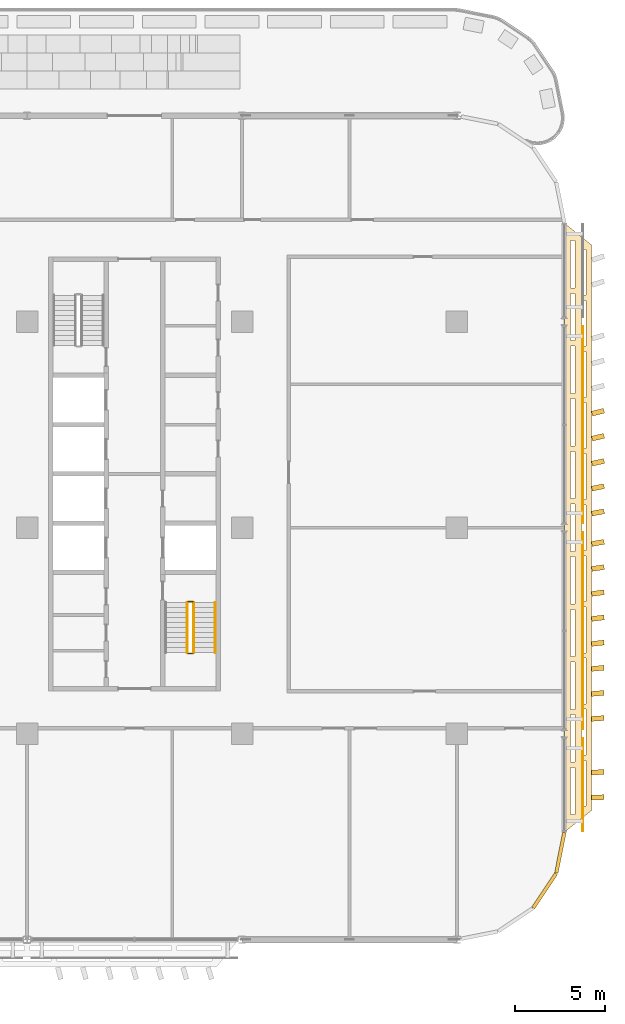
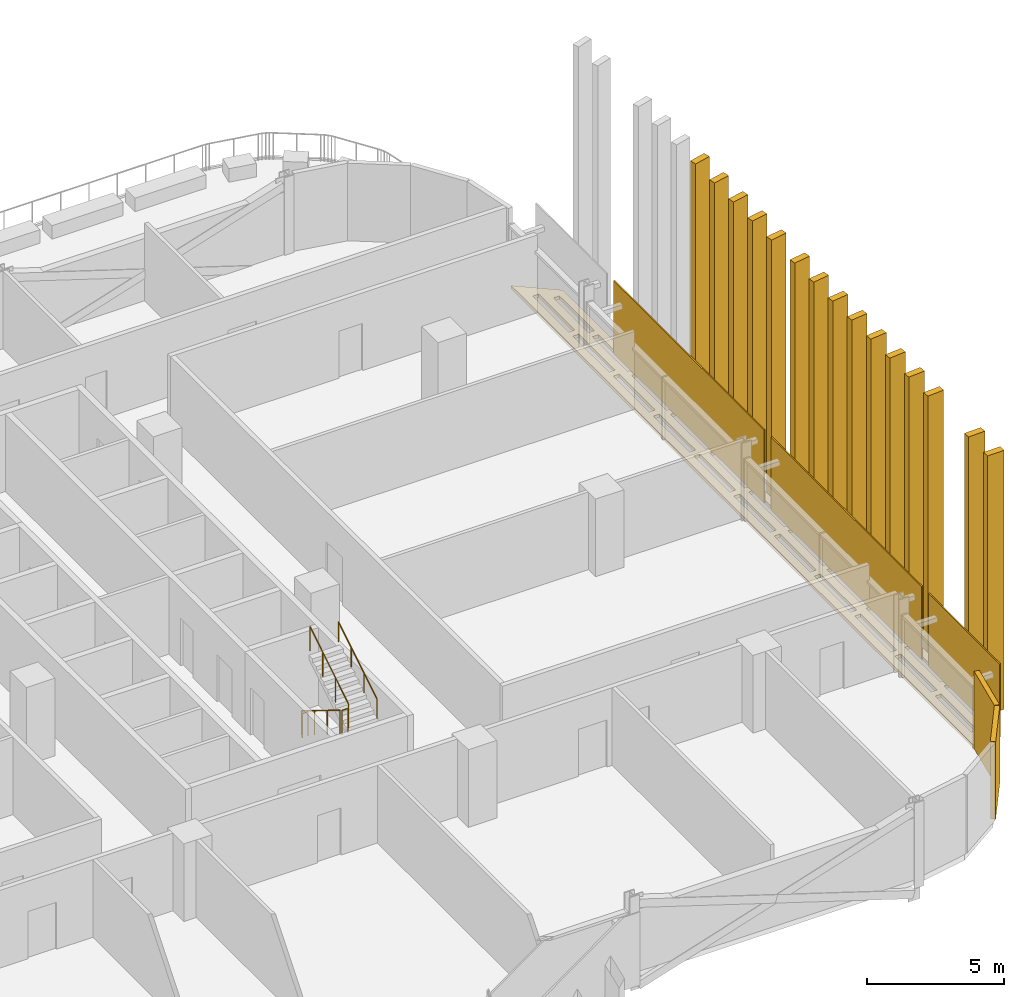
# One storey, part 28 of 30: 21 coverings, 5 railings.
"""IFC4 building model written with IfcOpenShell, lengths in metres."""

from ifc_helpers import new_model, si_unit, direction, frame, origin, origin_2d, place, context, subcontext, project, spatial, polyline, rectangle, circle, outline, extrude, material, layer, layer_set, type_object, element, save


model = new_model("IFC4")

# Units and contexts
model_context = context("Model", 3, precision=1e-05, world=origin(), true_north=direction((0.0, 1.0)))
body_context = subcontext(model_context, "Body", "Model", "MODEL_VIEW")
ifc_project = project(units=[si_unit("LENGTHUNIT", "METRE"), si_unit("AREAUNIT", "SQUARE_METRE"), si_unit("VOLUMEUNIT", "CUBIC_METRE"), si_unit("PLANEANGLEUNIT", "RADIAN"), si_unit("MASSUNIT", "GRAM", prefix="KILO")], contexts=[model_context])

# Site, building, storey
site_placement = place(None, origin())
site = spatial("IfcSite", under=ifc_project, at=site_placement, CompositionType="ELEMENT")
building_placement = place(site_placement, origin())
building = spatial("IfcBuilding", under=site, at=building_placement, Name="Mahtab Terrace Research Tower", CompositionType="ELEMENT")
storey_placement = place(building_placement, frame((0.0, 0.0, 159.199951171875)))
storey = spatial("IfcBuildingStorey", under=building, at=storey_placement, Name="L37", CompositionType="ELEMENT", Elevation=159.199951171875)

# Coverings
ifc_material_1 = material(Name="Black aluminium cladding panel", Category="aluminium")
ifc_layer_1 = layer(ifc_material_1, 0.199951171875)
ifc_layer_set_1 = layer_set([ifc_layer_1], Name="Black metal corner cladding 200")
covering_type_1 = type_object("IfcCoveringType", Name="Black metal corner cladding 200", PredefinedType="CLADDING", material=ifc_layer_set_1)
for number, where, z_axis, x_axis, name in (
    (1, (46.89306640625, -20.26953125, 0.0), (0.0, 0.0, 1.0), (0.555291490808, 0.831655794326, 0.0), "Corner cladding L37 32"),
    (2, (47.771484375, -18.14794921875, 0.0), (0.0, 0.0, 1.0), (0.195212442692, 0.980760981187, 0.0), "Corner cladding L37 33"),
):
    element("IfcCovering", number, at=place(storey_placement, frame(where, z_axis=z_axis, x_axis=x_axis)), inside=storey, type_object=covering_type_1, Name=name, PredefinedType="CLADDING", context=body_context, shape_type="SweptSolid", body=[
        extrude(rectangle(XDim=2.30126953125, YDim=0.199951171875, at=origin_2d()), origin(), (0.0, 0.0, 1.0), 3.4599609375),
    ])
ifc_material_2 = material(Name="Black anodised aluminium", Category="aluminium")
ifc_layer_2 = layer(ifc_material_2, 0.14990234375)
ifc_layer_set_2 = layer_set([ifc_layer_2], Name="Horizontal sunshade band")
covering_type_2 = type_object("IfcCoveringType", Name="Horizontal sunshade band", PredefinedType="CLADDING", material=ifc_layer_set_2)
covering_1_placement = place(storey_placement, frame((0.0, 0.0, -0.14990234375)))
element("IfcCovering", 3, at=covering_1_placement, inside=storey, type_object=covering_type_2, Name="Sunshade band L37 34", PredefinedType="CLADDING", context=body_context, shape_type="SweptSolid", body=[
    extrude(outline(polyline([(48.0, -17.0), (48.0, 17.0), (49.5, 15.800048828125), (49.5, -15.800048828125), (48.0, -17.0)]), holes=[polyline([(48.35009765625, -16.02001953125), (48.35009765625, -13.3798828125), (48.60009765625, -13.3798828125), (48.60009765625, -16.02001953125), (48.35009765625, -16.02001953125)]), polyline([(48.35009765625, -13.080078125), (48.35009765625, -10.43994140625), (48.60009765625, -10.43994140625), (48.60009765625, -13.080078125), (48.35009765625, -13.080078125)]), polyline([(48.35009765625, -10.139892578125), (48.35009765625, -7.5), (48.60009765625, -7.5), (48.60009765625, -10.139892578125), (48.35009765625, -10.139892578125)]), polyline([(48.35009765625, -7.199951171875), (48.35009765625, -4.56005859375), (48.60009765625, -4.56005859375), (48.60009765625, -7.199951171875), (48.35009765625, -7.199951171875)]), polyline([(48.35009765625, -4.260009765625), (48.35009765625, -1.6201171875), (48.60009765625, -1.6201171875), (48.60009765625, -4.260009765625), (48.35009765625, -4.260009765625)]), polyline([(48.35009765625, -1.320068359375), (48.35009765625, 1.320068359375), (48.60009765625, 1.320068359375), (48.60009765625, -1.320068359375), (48.35009765625, -1.320068359375)]), polyline([(48.35009765625, 1.6201171875), (48.35009765625, 4.260009765625), (48.60009765625, 4.260009765625), (48.60009765625, 1.6201171875), (48.35009765625, 1.6201171875)]), polyline([(48.35009765625, 4.56005859375), (48.35009765625, 7.199951171875), (48.60009765625, 7.199951171875), (48.60009765625, 4.56005859375), (48.35009765625, 4.56005859375)]), polyline([(48.35009765625, 7.5), (48.35009765625, 10.139892578125), (48.60009765625, 10.139892578125), (48.60009765625, 7.5), (48.35009765625, 7.5)]), polyline([(48.35009765625, 10.43994140625), (48.35009765625, 13.080078125), (48.60009765625, 13.080078125), (48.60009765625, 10.43994140625), (48.35009765625, 10.43994140625)]), polyline([(48.35009765625, 13.3798828125), (48.35009765625, 16.02001953125), (48.60009765625, 16.02001953125), (48.60009765625, 13.3798828125), (48.35009765625, 13.3798828125)]), polyline([(48.949951171875, -15.5400390625), (48.949951171875, -12.987060546875), (49.199951171875, -12.987060546875), (49.199951171875, -15.5400390625), (48.949951171875, -15.5400390625)]), polyline([(48.949951171875, -12.68701171875), (48.949951171875, -10.135009765625), (49.199951171875, -10.135009765625), (49.199951171875, -12.68701171875), (48.949951171875, -12.68701171875)]), polyline([(48.949951171875, -9.8349609375), (48.949951171875, -7.281982421875), (49.199951171875, -7.281982421875), (49.199951171875, -9.8349609375), (48.949951171875, -9.8349609375)]), polyline([(48.949951171875, -6.98193359375), (48.949951171875, -4.428955078125), (49.199951171875, -4.428955078125), (49.199951171875, -6.98193359375), (48.949951171875, -6.98193359375)]), polyline([(48.949951171875, -4.12890625), (48.949951171875, -1.575927734375), (49.199951171875, -1.575927734375), (49.199951171875, -4.12890625), (48.949951171875, -4.12890625)]), polyline([(48.949951171875, -1.27587890625), (48.949951171875, 1.27587890625), (49.199951171875, 1.27587890625), (49.199951171875, -1.27587890625), (48.949951171875, -1.27587890625)]), polyline([(48.949951171875, 1.575927734375), (48.949951171875, 4.12890625), (49.199951171875, 4.12890625), (49.199951171875, 1.575927734375), (48.949951171875, 1.575927734375)]), polyline([(48.949951171875, 4.428955078125), (48.949951171875, 6.98193359375), (49.199951171875, 6.98193359375), (49.199951171875, 4.428955078125), (48.949951171875, 4.428955078125)]), polyline([(48.949951171875, 7.281982421875), (48.949951171875, 9.8349609375), (49.199951171875, 9.8349609375), (49.199951171875, 7.281982421875), (48.949951171875, 7.281982421875)]), polyline([(48.949951171875, 10.135009765625), (48.949951171875, 12.68701171875), (49.199951171875, 12.68701171875), (49.199951171875, 10.135009765625), (48.949951171875, 10.135009765625)]), polyline([(48.949951171875, 12.987060546875), (48.949951171875, 15.5400390625), (49.199951171875, 15.5400390625), (49.199951171875, 12.987060546875), (48.949951171875, 12.987060546875)])]), origin(), (0.0, 0.0, 1.0), 0.14990234375),
])
ifc_material_3 = material(Name="Bronze anodised aluminium", Category="aluminium")
ifc_layer_3 = layer(ifc_material_3, 0.050048828125)
ifc_layer_set_3 = layer_set([ifc_layer_3], Name="Sky lounge girih screen panel")
covering_type_3 = type_object("IfcCoveringType", Name="Sky lounge girih screen panel", PredefinedType="CLADDING", material=ifc_layer_set_3)
covering_2_placement = place(storey_placement, frame((49.02490234375, -14.35400390625, 0.10009765625), z_axis=(0.0, 0.0, 1.0), x_axis=(0.0, 1.0, 0.0)))
element("IfcCovering", 4, at=covering_2_placement, inside=storey, type_object=covering_type_3, Name="Girih screen L37 E35", PredefinedType="CLADDING", context=body_context, shape_type="SweptSolid", body=[
    extrude(rectangle(XDim=5.19189453125, YDim=0.050048828125, at=origin_2d()), origin(), (0.0, 0.0, 1.0), 3.260009765625),
])
for number, where, z_axis, x_axis, name in (
    (5, (49.02490234375, -5.75, 0.10009765625), (0.0, 0.0, 1.0), (0.0, 1.0, 0.0), "Girih screen L37 E36"),
    (6, (49.02490234375, 5.75, 0.10009765625), (0.0, 0.0, 1.0), (0.0, 1.0, 0.0), "Girih screen L37 E37"),
):
    element("IfcCovering", number, at=place(storey_placement, frame(where, z_axis=z_axis, x_axis=x_axis)), inside=storey, type_object=covering_type_3, Name=name, PredefinedType="CLADDING", context=body_context, shape_type="SweptSolid", body=[
        extrude(rectangle(XDim=10.98388671875, YDim=0.050048828125, at=origin_2d()), origin(), (0.0, 0.0, 1.0), 3.260009765625),
    ])

# Railings
ifc_material_4 = material(Name="Stainless steel AISI 304", Category="steel")
railing_type_1 = type_object("IfcRailingType", Name="Stair guard 1100", PredefinedType="GUARDRAIL", material=ifc_material_4)
railing_1_placement = place(storey_placement, frame((26.949951171875, -4.175048828125, 0.1728515625)))
element("IfcRailing", 7, at=railing_1_placement, inside=storey, type_object=railing_type_1, Name="L37 ST4 stair guard 1", PredefinedType="GUARDRAIL", context=body_context, shape_type="SweptSolid", body=[
    extrude(circle(Radius=0.02392578125, at=origin_2d()), frame((0.0, 0.0, 1.076171875), z_axis=(0.0, -0.851089632645, 0.525020415988), x_axis=(1.0, 0.0, 0.0)), (0.0, 0.0, 1.0), 3.2900390625),
    extrude(circle(Radius=0.02099609375, at=origin_2d()), origin(), (0.0, 0.0, 1.0), 1.052001953125),
    extrude(circle(Radius=0.02099609375, at=origin_2d()), frame((0.0, -0.933349609375, 0.57568359375)), (0.0, 0.0, 1.0), 1.052001953125),
    extrude(circle(Radius=0.02099609375, at=origin_2d()), frame((0.0, -1.86669921875, 1.151611328125)), (0.0, 0.0, 1.0), 1.052001953125),
    extrude(circle(Radius=0.02099609375, at=origin_2d()), frame((0.0, -2.800048828125, 1.727294921875)), (0.0, 0.0, 1.0), 1.052001953125),
])
railing_2_placement = place(storey_placement, frame((27.0, -7.02490234375, 1.900146484375)))
element("IfcRailing", 8, at=railing_2_placement, inside=storey, type_object=railing_type_1, Name="L37 ST4 stair guard 2", PredefinedType="GUARDRAIL", context=body_context, shape_type="SweptSolid", body=[
    extrude(circle(Radius=0.02392578125, at=origin_2d()), frame((0.0, 0.0, 1.076171875), z_axis=(1.0, 0.0, 0.0), x_axis=(0.0, 1.0, 0.0)), (0.0, 0.0, 1.0), 0.25),
    extrude(circle(Radius=0.02099609375, at=origin_2d()), origin(), (0.0, 0.0, 1.0), 1.052001953125),
    extrude(circle(Radius=0.02099609375, at=origin_2d()), frame((0.25, 0.0, 0.0)), (0.0, 0.0, 1.0), 1.052001953125),
])
railing_3_placement = place(storey_placement, frame((27.300048828125, -6.97509765625, 2.07275390625)))
element("IfcRailing", 9, at=railing_3_placement, inside=storey, type_object=railing_type_1, Name="L37 ST4 stair guard 3", PredefinedType="GUARDRAIL", context=body_context, shape_type="SweptSolid", body=[
    extrude(circle(Radius=0.02392578125, at=origin_2d()), frame((0.0, 0.0, 1.076171875), z_axis=(0.0, 0.851089632645, 0.525020415988), x_axis=(-1.0, 0.0, 0.0)), (0.0, 0.0, 1.0), 3.2900390625),
    extrude(circle(Radius=0.02099609375, at=origin_2d()), origin(), (0.0, 0.0, 1.0), 1.052001953125),
    extrude(circle(Radius=0.02099609375, at=origin_2d()), frame((0.0, 0.933349609375, 0.57568359375)), (0.0, 0.0, 1.0), 1.052001953125),
    extrude(circle(Radius=0.02099609375, at=origin_2d()), frame((0.0, 1.86669921875, 1.151611328125)), (0.0, 0.0, 1.0), 1.052001953125),
    extrude(circle(Radius=0.02099609375, at=origin_2d()), frame((0.0, 2.800048828125, 1.727294921875)), (0.0, 0.0, 1.0), 1.052001953125),
])
railing_4_placement = place(storey_placement, frame((27.0, -4.125, 0.0)))
element("IfcRailing", 10, at=railing_4_placement, inside=storey, type_object=railing_type_1, Name="L37 ST4 stair guard 4", PredefinedType="GUARDRAIL", context=body_context, shape_type="SweptSolid", body=[
    extrude(circle(Radius=0.02392578125, at=origin_2d()), frame((0.0, 0.0, 1.076171875), z_axis=(1.0, 0.0, 0.0), x_axis=(0.0, 1.0, 0.0)), (0.0, 0.0, 1.0), 0.25),
    extrude(circle(Radius=0.02099609375, at=origin_2d()), origin(), (0.0, 0.0, 1.0), 1.052001953125),
    extrude(circle(Radius=0.02099609375, at=origin_2d()), frame((0.25, 0.0, 0.0)), (0.0, 0.0, 1.0), 1.052001953125),
])
railing_type_2 = type_object("IfcRailingType", Name="Stair handrail 900", PredefinedType="HANDRAIL", material=ifc_material_4)
railing_5_placement = place(storey_placement, frame((28.5, -6.97509765625, 2.07275390625)))
element("IfcRailing", 11, at=railing_5_placement, inside=storey, type_object=railing_type_2, Name="L37 ST4 stair handrail 2", PredefinedType="HANDRAIL", context=body_context, shape_type="SweptSolid", body=[
    extrude(circle(Radius=0.02392578125, at=origin_2d()), frame((0.0, 0.0, 0.8759765625), z_axis=(0.0, 0.851089632645, 0.525020415988), x_axis=(-1.0, 0.0, 0.0)), (0.0, 0.0, 1.0), 3.2900390625),
    extrude(circle(Radius=0.02099609375, at=origin_2d()), origin(), (0.0, 0.0, 1.0), 0.851806640625),
    extrude(circle(Radius=0.02099609375, at=origin_2d()), frame((0.0, 0.933349609375, 0.57568359375)), (0.0, 0.0, 1.0), 0.851806640625),
    extrude(circle(Radius=0.02099609375, at=origin_2d()), frame((0.0, 1.86669921875, 1.151611328125)), (0.0, 0.0, 1.0), 0.851806640625),
    extrude(circle(Radius=0.02099609375, at=origin_2d()), frame((0.0, 2.800048828125, 1.727294921875)), (0.0, 0.0, 1.0), 0.851806640625),
])

# Coverings
ifc_layer_4 = layer(ifc_material_3, 0.1201171875)
ifc_layer_set_4 = layer_set([ifc_layer_4], Name="Vertical fin 700")
covering_type_4 = type_object("IfcCoveringType", Name="Vertical fin 700", PredefinedType="CLADDING", material=ifc_layer_set_4)
for number, where, z_axis, x_axis, name in (
    (12, (49.852783203125, -15.053955078125, -0.14990234375), (0.0, 0.0, 1.0), (-0.019977557519, 0.999800428683, 0.0), "Fin L37 E1"),
    (13, (49.8544921875, -13.654052734375, -0.14990234375), (0.0, 0.0, 1.0), (-0.034345430387, 0.999410021669, 0.0), "Fin L37 E2"),
    (14, (49.8583984375, -10.64990234375, -0.14990234375), (0.0, 0.0, 1.0), (-0.06514701056, 0.997875677134, 0.0), "Fin L37 E1"),
    (15, (49.860107421875, -9.25, -0.14990234375), (0.0, 0.0, 1.0), (-0.079482553594, 0.996836257203, 0.0), "Fin L37 E2"),
    (16, (49.861572265625, -7.85009765625, -0.14990234375), (0.0, 0.0, 1.0), (-0.093801676489, 0.995590902674, 0.0), "Fin L37 E3"),
    (17, (49.863037109375, -6.449951171875, -0.14990234375), (0.0, 0.0, 1.0), (-0.108101421065, 0.994139870825, 0.0), "Fin L37 E4"),
    (18, (49.864501953125, -5.050048828125, -0.14990234375), (0.0, 0.0, 1.0), (-0.122378833164, 0.992483461421, 0.0), "Fin L37 E5"),
    (19, (49.865966796875, -3.64990234375, -0.14990234375), (0.0, 0.0, 1.0), (-0.136630963225, 0.990622016658, 0.0), "Fin L37 E6"),
    (20, (49.8671875, -2.25, -0.14990234375), (0.0, 0.0, 1.0), (-0.15085486696, 0.988555921086, 0.0), "Fin L37 E7"),
    (21, (49.868408203125, -0.85009765625, -0.14990234375), (0.0, 0.0, 1.0), (-0.165047605861, 0.986285601537, 0.0), "Fin L37 E8"),
    (22, (49.86962890625, 0.85009765625, -0.14990234375), (0.0, 0.0, 1.0), (-0.182235525492, 0.983254907564, 0.0), "Fin L37 E1"),
    (23, (49.87060546875, 2.25, -0.14990234375), (0.0, 0.0, 1.0), (-0.196348832524, 0.980534107498, 0.0), "Fin L37 E2"),
    (24, (49.87158203125, 3.64990234375, -0.14990234375), (0.0, 0.0, 1.0), (-0.210421576206, 0.977610740667, 0.0), "Fin L37 E3"),
    (25, (49.87255859375, 5.050048828125, -0.14990234375), (0.0, 0.0, 1.0), (-0.224450849259, 0.974485411008, 0.0), "Fin L37 E4"),
    (26, (49.873291015625, 6.449951171875, -0.14990234375), (0.0, 0.0, 1.0), (-0.238433753434, 0.971158764169, 0.0), "Fin L37 E5"),
):
    element("IfcCovering", number, at=place(storey_placement, frame(where, z_axis=z_axis, x_axis=x_axis)), inside=storey, type_object=covering_type_4, Name=name, PredefinedType="CLADDING", context=body_context, shape_type="SweptSolid", body=[
        extrude(rectangle(XDim=0.280029296875, YDim=0.699951171875, at=origin_2d()), origin(), (0.0, 0.0, 1.0), 11.550048828125),
    ])

save(model, "model.ifc")
